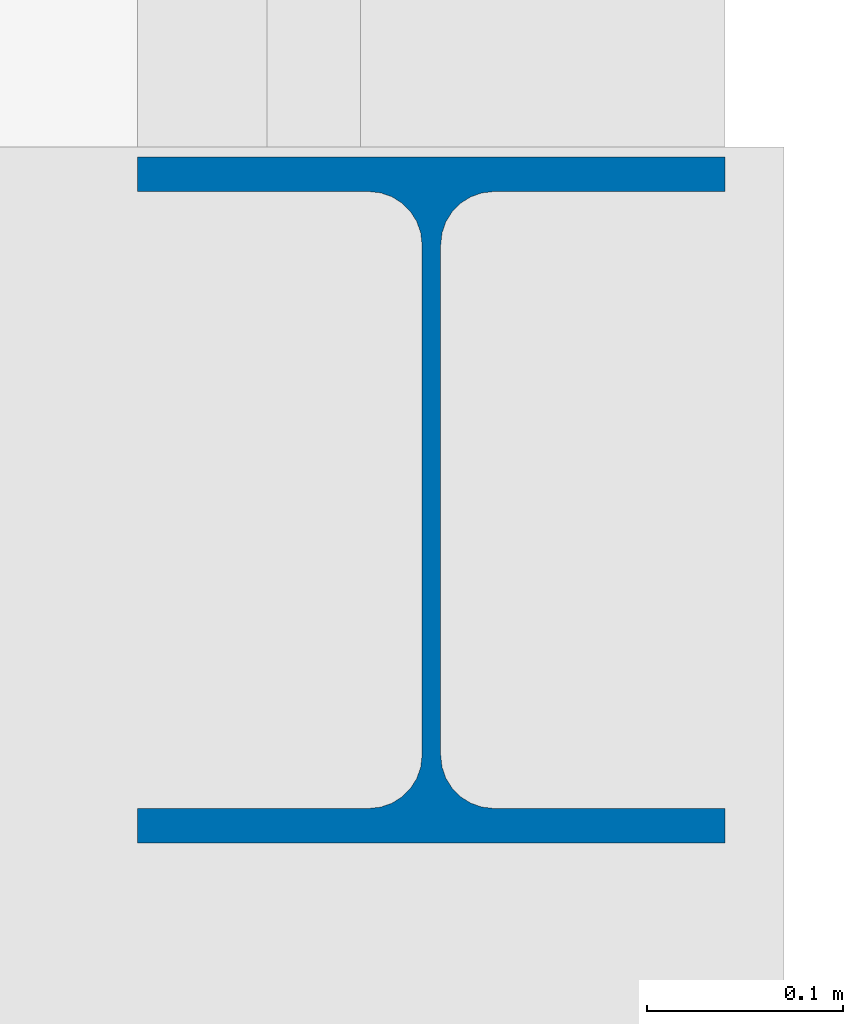
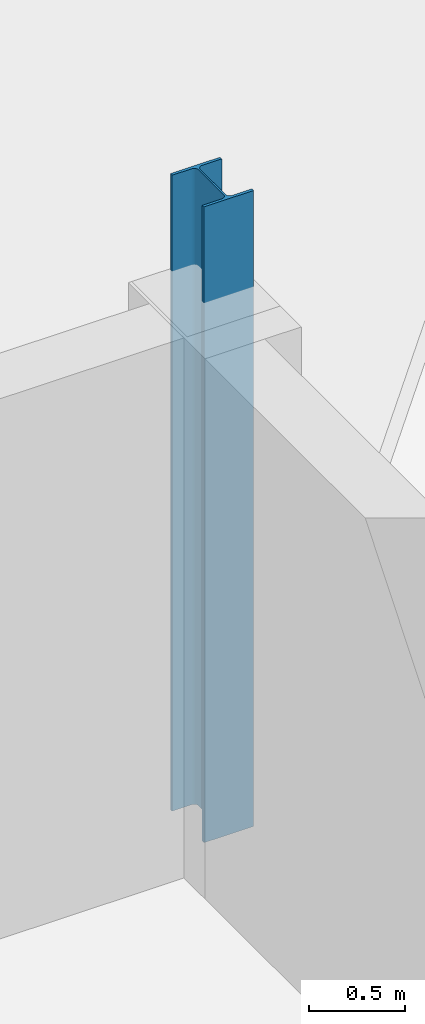
# One storey, part 7 of 77: 1 column.
"""IFC4 building model written with IfcOpenShell, lengths in metres."""

from ifc_helpers import new_model, si_unit, direction, frame, origin, origin_2d, place, context, subcontext, project, spatial, i_section, extrude, material, material_profile, profile_set, type_object, element, save


model = new_model("IFC4")

# Units and contexts
model_context = context("Model", 3, precision=1e-05, world=origin(), true_north=direction((0.0, 1.0)))
body_context = subcontext(model_context, "Body", "Model", "MODEL_VIEW")
ifc_project = project(units=[si_unit("LENGTHUNIT", "METRE"), si_unit("AREAUNIT", "SQUARE_METRE"), si_unit("VOLUMEUNIT", "CUBIC_METRE"), si_unit("PLANEANGLEUNIT", "RADIAN"), si_unit("MASSUNIT", "GRAM", prefix="KILO")], contexts=[model_context])

# Site, building, storey
site_placement = place(None, origin())
site = spatial("IfcSite", under=ifc_project, at=site_placement, CompositionType="ELEMENT")
building_placement = place(site_placement, origin())
building = spatial("IfcBuilding", under=site, at=building_placement, Name="Nabrawat Pavilion Hospital", CompositionType="ELEMENT")
storey_placement = place(building_placement, frame((0.0, 0.0, 14.85009765625)))
storey = spatial("IfcBuildingStorey", under=building, at=storey_placement, Name="L03", CompositionType="ELEMENT", Elevation=14.85009765625)

# Column
ifc_material = material(Name="Steel S355", Category="steel")
ifc_material_profile = material_profile(ifc_material, i_section(OverallWidth=0.300048828125, OverallDepth=0.35009765625, WebThickness=0.009521484375, FlangeThickness=0.017578125, FilletRadius=0.027099609375, at=origin_2d()), Name="HEA 360")
ifc_profile_set = profile_set([ifc_material_profile], Name="Steel S355")
column_type = type_object("IfcColumnType", Name="Pavilion Top Steel Column HEA 360", PredefinedType="COLUMN", material=ifc_profile_set)
column_placement = place(storey_placement, frame((58.800048828125, 101.39990234375, 0.0), z_axis=(0.0, 0.0, 1.0), x_axis=(1.0, 0.0, 0.0)))
element("IfcColumn", 1, at=column_placement, inside=storey, type_object=column_type, Name="L03 Structural Column G-8A-P", PredefinedType="COLUMN", context=body_context, shape_type="SweptSolid", body=[
    extrude(i_section(OverallWidth=0.300048828125, OverallDepth=0.35009765625, WebThickness=0.009521484375, FlangeThickness=0.017578125, FilletRadius=0.027099609375, at=origin_2d()), origin(), (0.0, 0.0, 1.0), 4.0498046875),
])

save(model, "model.ifc")
